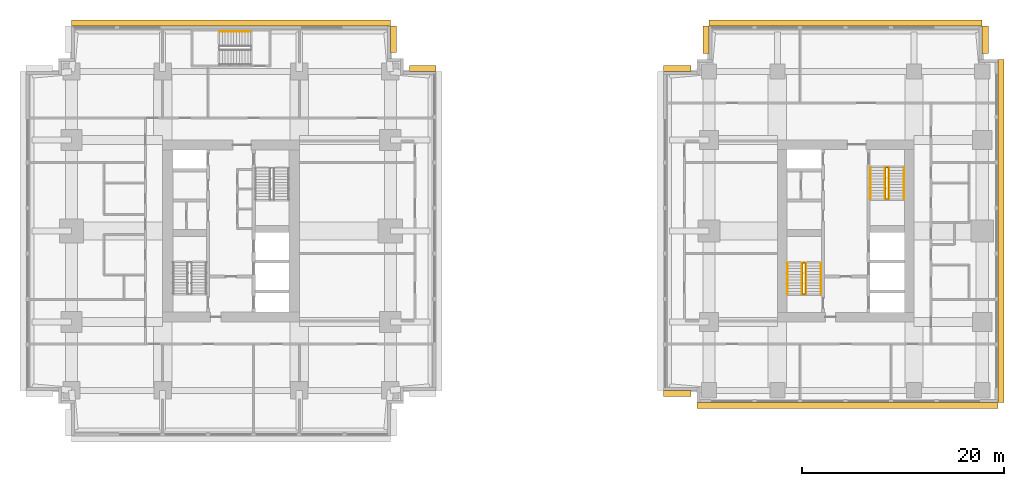
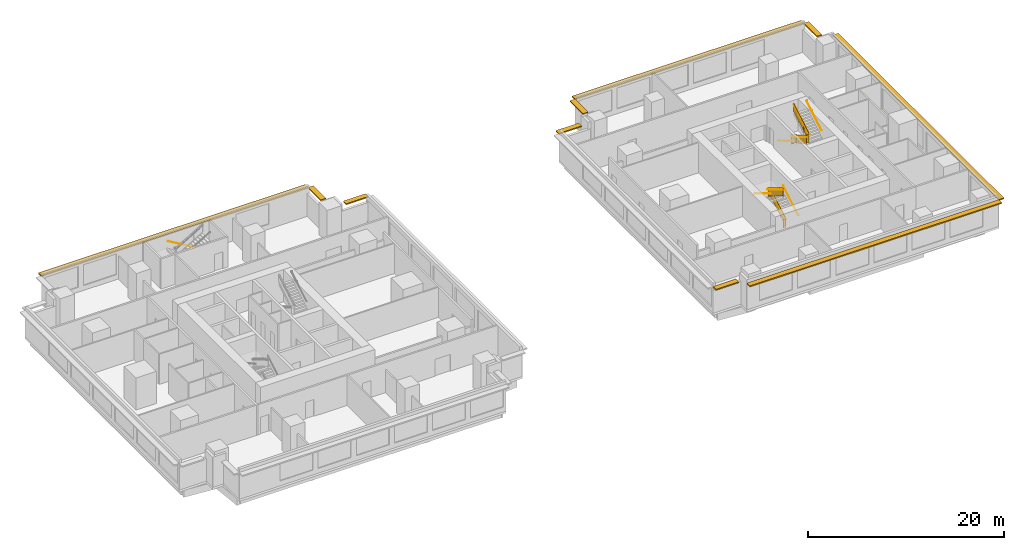
# One storey, part 10 of 10: 11 railings, 10 shading devices.
"""IFC4 building model written with IfcOpenShell, lengths in metres."""

from ifc_helpers import new_model, si_unit, direction, frame, origin, origin_2d, place, context, subcontext, project, spatial, polyline, rectangle, circle, outline, extrude, material, layer, layer_set, type_object, element, save


model = new_model("IFC4")

# Units and contexts
model_context = context("Model", 3, precision=1e-05, world=origin(), true_north=direction((0.0, 1.0)))
body_context = subcontext(model_context, "Body", "Model", "MODEL_VIEW")
ifc_project = project(units=[si_unit("LENGTHUNIT", "METRE"), si_unit("AREAUNIT", "SQUARE_METRE"), si_unit("VOLUMEUNIT", "CUBIC_METRE"), si_unit("PLANEANGLEUNIT", "RADIAN"), si_unit("MASSUNIT", "GRAM", prefix="KILO")], contexts=[model_context])

# Site, building, storey
site_placement = place(None, origin())
site = spatial("IfcSite", under=ifc_project, at=site_placement, CompositionType="ELEMENT")
building_placement = place(site_placement, origin())
building = spatial("IfcBuilding", under=site, at=building_placement, Name="Namib Vertical Campus", CompositionType="ELEMENT")
storey_placement = place(building_placement, frame((0.0, 0.0, 141.0)))
storey = spatial("IfcBuildingStorey", under=building, at=storey_placement, Name="L33", CompositionType="ELEMENT", Elevation=141.0)

# Railings
ifc_material_1 = material(Name="Steel handrail", Category="steel")
railing_type_1 = type_object("IfcRailingType", Name="Handrail 900", PredefinedType="HANDRAIL", material=ifc_material_1)
railing_1_placement = place(storey_placement, frame((78.550048828125, 14.0, 0.166748046875)))
element("IfcRailing", 1, at=railing_1_placement, inside=storey, type_object=railing_type_1, Name="Handrail HR1 B-S1 L33 1", PredefinedType="HANDRAIL", context=body_context, shape_type="SweptSolid", body=[
    extrude(circle(Radius=0.02392578125, at=origin_2d()), frame((0.0, 0.0, 0.8759765625), z_axis=(0.0, 0.859308565015, 0.511457515432), x_axis=(-1.0, 0.0, 0.0)), (0.0, 0.0, 1.0), 3.58447265625),
    extrude(circle(Radius=0.008056640625, at=origin_2d()), frame((0.0, 0.0, 0.8759765625), z_axis=(1.0, 0.0, 0.0), x_axis=(0.0, 0.0, 1.0)), (0.0, 0.0, 1.0), 0.050048828125),
    extrude(circle(Radius=0.008056640625, at=origin_2d()), frame((0.0, 1.026611328125, 1.48681640625), z_axis=(1.0, 0.0, 0.0), x_axis=(0.0, 0.0, 1.0)), (0.0, 0.0, 1.0), 0.050048828125),
    extrude(circle(Radius=0.008056640625, at=origin_2d()), frame((0.0, 2.053466796875, 2.09814453125), z_axis=(1.0, 0.0, 0.0), x_axis=(0.0, 0.0, 1.0)), (0.0, 0.0, 1.0), 0.050048828125),
    extrude(circle(Radius=0.008056640625, at=origin_2d()), frame((0.0, 3.080078125, 2.708984375), z_axis=(1.0, 0.0, 0.0), x_axis=(0.0, 0.0, 1.0)), (0.0, 0.0, 1.0), 0.050048828125),
])
railing_2_placement = place(storey_placement, frame((75.25, 17.080078125, 2.166748046875)))
element("IfcRailing", 2, at=railing_2_placement, inside=storey, type_object=railing_type_1, Name="Handrail HR1 B-S1 L33 2", PredefinedType="HANDRAIL", context=body_context, shape_type="SweptSolid", body=[
    extrude(circle(Radius=0.02392578125, at=origin_2d()), frame((0.0, 0.0, 0.8759765625), z_axis=(0.0, -0.859308565015, 0.511457515432), x_axis=(1.0, 0.0, 0.0)), (0.0, 0.0, 1.0), 3.58447265625),
    extrude(circle(Radius=0.008056640625, at=origin_2d()), frame((0.0, 0.0, 0.8759765625), z_axis=(-1.0, 0.0, 0.0), x_axis=(0.0, 0.0, 1.0)), (0.0, 0.0, 1.0), 0.050048828125),
    extrude(circle(Radius=0.008056640625, at=origin_2d()), frame((0.0, -1.026611328125, 1.48681640625), z_axis=(-1.0, 0.0, 0.0), x_axis=(0.0, 0.0, 1.0)), (0.0, 0.0, 1.0), 0.050048828125),
    extrude(circle(Radius=0.008056640625, at=origin_2d()), frame((0.0, -2.053466796875, 2.09814453125), z_axis=(-1.0, 0.0, 0.0), x_axis=(0.0, 0.0, 1.0)), (0.0, 0.0, 1.0), 0.050048828125),
    extrude(circle(Radius=0.008056640625, at=origin_2d()), frame((0.0, -3.080078125, 2.708984375), z_axis=(-1.0, 0.0, 0.0), x_axis=(0.0, 0.0, 1.0)), (0.0, 0.0, 1.0), 0.050048828125),
])
railing_3_placement = place(storey_placement, frame((77.10009765625, 14.0, 0.166748046875)))
element("IfcRailing", 3, at=railing_3_placement, inside=storey, type_object=railing_type_1, Name="Handrail HR1 B-S1 L33 1 at the well", PredefinedType="HANDRAIL", context=body_context, shape_type="SweptSolid", body=[
    extrude(circle(Radius=0.02392578125, at=origin_2d()), frame((0.0, 0.0, 0.8759765625), z_axis=(0.0, 0.859308565015, 0.511457515432), x_axis=(-1.0, 0.0, 0.0)), (0.0, 0.0, 1.0), 3.58447265625),
    extrude(circle(Radius=0.008056640625, at=origin_2d()), frame((0.0, 0.0, 0.8759765625), z_axis=(-1.0, 0.0, 0.0), x_axis=(0.0, 0.0, 1.0)), (0.0, 0.0, 1.0), 0.0400390625),
    extrude(circle(Radius=0.008056640625, at=origin_2d()), frame((0.0, 1.026611328125, 1.48681640625), z_axis=(-1.0, 0.0, 0.0), x_axis=(0.0, 0.0, 1.0)), (0.0, 0.0, 1.0), 0.0400390625),
    extrude(circle(Radius=0.008056640625, at=origin_2d()), frame((0.0, 2.053466796875, 2.09814453125), z_axis=(-1.0, 0.0, 0.0), x_axis=(0.0, 0.0, 1.0)), (0.0, 0.0, 1.0), 0.0400390625),
    extrude(circle(Radius=0.008056640625, at=origin_2d()), frame((0.0, 3.080078125, 2.708984375), z_axis=(-1.0, 0.0, 0.0), x_axis=(0.0, 0.0, 1.0)), (0.0, 0.0, 1.0), 0.0400390625),
])
railing_4_placement = place(storey_placement, frame((76.699951171875, 17.080078125, 2.166748046875)))
element("IfcRailing", 4, at=railing_4_placement, inside=storey, type_object=railing_type_1, Name="Handrail HR1 B-S1 L33 2 at the well", PredefinedType="HANDRAIL", context=body_context, shape_type="SweptSolid", body=[
    extrude(circle(Radius=0.02392578125, at=origin_2d()), frame((0.0, 0.0, 0.8759765625), z_axis=(0.0, -0.859308565015, 0.511457515432), x_axis=(1.0, 0.0, 0.0)), (0.0, 0.0, 1.0), 3.58447265625),
    extrude(circle(Radius=0.008056640625, at=origin_2d()), frame((0.0, 0.0, 0.8759765625), z_axis=(1.0, 0.0, 0.0), x_axis=(0.0, 0.0, 1.0)), (0.0, 0.0, 1.0), 0.0400390625),
    extrude(circle(Radius=0.008056640625, at=origin_2d()), frame((0.0, -1.026611328125, 1.48681640625), z_axis=(1.0, 0.0, 0.0), x_axis=(0.0, 0.0, 1.0)), (0.0, 0.0, 1.0), 0.0400390625),
    extrude(circle(Radius=0.008056640625, at=origin_2d()), frame((0.0, -2.053466796875, 2.09814453125), z_axis=(1.0, 0.0, 0.0), x_axis=(0.0, 0.0, 1.0)), (0.0, 0.0, 1.0), 0.0400390625),
    extrude(circle(Radius=0.008056640625, at=origin_2d()), frame((0.0, -3.080078125, 2.708984375), z_axis=(1.0, 0.0, 0.0), x_axis=(0.0, 0.0, 1.0)), (0.0, 0.0, 1.0), 0.0400390625),
])
railing_5_placement = place(storey_placement, frame((83.449951171875, 26.5, 0.166748046875)))
element("IfcRailing", 5, at=railing_5_placement, inside=storey, type_object=railing_type_1, Name="Handrail HR1 B-S2 L33 1", PredefinedType="HANDRAIL", context=body_context, shape_type="SweptSolid", body=[
    extrude(circle(Radius=0.02392578125, at=origin_2d()), frame((0.0, 0.0, 0.8759765625), z_axis=(0.0, -0.859308565015, 0.511457515432), x_axis=(1.0, 0.0, 0.0)), (0.0, 0.0, 1.0), 3.58447265625),
    extrude(circle(Radius=0.008056640625, at=origin_2d()), frame((0.0, 0.0, 0.8759765625), z_axis=(-1.0, 0.0, 0.0), x_axis=(0.0, 0.0, 1.0)), (0.0, 0.0, 1.0), 0.050048828125),
    extrude(circle(Radius=0.008056640625, at=origin_2d()), frame((0.0, -1.026611328125, 1.48681640625), z_axis=(-1.0, 0.0, 0.0), x_axis=(0.0, 0.0, 1.0)), (0.0, 0.0, 1.0), 0.050048828125),
    extrude(circle(Radius=0.008056640625, at=origin_2d()), frame((0.0, -2.053466796875, 2.09814453125), z_axis=(-1.0, 0.0, 0.0), x_axis=(0.0, 0.0, 1.0)), (0.0, 0.0, 1.0), 0.050048828125),
    extrude(circle(Radius=0.008056640625, at=origin_2d()), frame((0.0, -3.080078125, 2.708984375), z_axis=(-1.0, 0.0, 0.0), x_axis=(0.0, 0.0, 1.0)), (0.0, 0.0, 1.0), 0.050048828125),
])
railing_6_placement = place(storey_placement, frame((86.75, 23.419921875, 2.166748046875)))
element("IfcRailing", 6, at=railing_6_placement, inside=storey, type_object=railing_type_1, Name="Handrail HR1 B-S2 L33 2", PredefinedType="HANDRAIL", context=body_context, shape_type="SweptSolid", body=[
    extrude(circle(Radius=0.02392578125, at=origin_2d()), frame((0.0, 0.0, 0.8759765625), z_axis=(0.0, 0.859308565015, 0.511457515432), x_axis=(-1.0, 0.0, 0.0)), (0.0, 0.0, 1.0), 3.58447265625),
    extrude(circle(Radius=0.008056640625, at=origin_2d()), frame((0.0, 0.0, 0.8759765625), z_axis=(1.0, 0.0, 0.0), x_axis=(0.0, 0.0, 1.0)), (0.0, 0.0, 1.0), 0.050048828125),
    extrude(circle(Radius=0.008056640625, at=origin_2d()), frame((0.0, 1.026611328125, 1.48681640625), z_axis=(1.0, 0.0, 0.0), x_axis=(0.0, 0.0, 1.0)), (0.0, 0.0, 1.0), 0.050048828125),
    extrude(circle(Radius=0.008056640625, at=origin_2d()), frame((0.0, 2.053466796875, 2.09814453125), z_axis=(1.0, 0.0, 0.0), x_axis=(0.0, 0.0, 1.0)), (0.0, 0.0, 1.0), 0.050048828125),
    extrude(circle(Radius=0.008056640625, at=origin_2d()), frame((0.0, 3.080078125, 2.708984375), z_axis=(1.0, 0.0, 0.0), x_axis=(0.0, 0.0, 1.0)), (0.0, 0.0, 1.0), 0.050048828125),
])
railing_7_placement = place(storey_placement, frame((84.89990234375, 26.5, 0.166748046875)))
element("IfcRailing", 7, at=railing_7_placement, inside=storey, type_object=railing_type_1, Name="Handrail HR1 B-S2 L33 1 at the well", PredefinedType="HANDRAIL", context=body_context, shape_type="SweptSolid", body=[
    extrude(circle(Radius=0.02392578125, at=origin_2d()), frame((0.0, 0.0, 0.8759765625), z_axis=(0.0, -0.859308565015, 0.511457515432), x_axis=(1.0, 0.0, 0.0)), (0.0, 0.0, 1.0), 3.58447265625),
    extrude(circle(Radius=0.008056640625, at=origin_2d()), frame((0.0, 0.0, 0.8759765625), z_axis=(1.0, 0.0, 0.0), x_axis=(0.0, 0.0, 1.0)), (0.0, 0.0, 1.0), 0.0400390625),
    extrude(circle(Radius=0.008056640625, at=origin_2d()), frame((0.0, -1.026611328125, 1.48681640625), z_axis=(1.0, 0.0, 0.0), x_axis=(0.0, 0.0, 1.0)), (0.0, 0.0, 1.0), 0.0400390625),
    extrude(circle(Radius=0.008056640625, at=origin_2d()), frame((0.0, -2.053466796875, 2.09814453125), z_axis=(1.0, 0.0, 0.0), x_axis=(0.0, 0.0, 1.0)), (0.0, 0.0, 1.0), 0.0400390625),
    extrude(circle(Radius=0.008056640625, at=origin_2d()), frame((0.0, -3.080078125, 2.708984375), z_axis=(1.0, 0.0, 0.0), x_axis=(0.0, 0.0, 1.0)), (0.0, 0.0, 1.0), 0.0400390625),
])
railing_8_placement = place(storey_placement, frame((85.300048828125, 23.419921875, 2.166748046875)))
element("IfcRailing", 8, at=railing_8_placement, inside=storey, type_object=railing_type_1, Name="Handrail HR1 B-S2 L33 2 at the well", PredefinedType="HANDRAIL", context=body_context, shape_type="SweptSolid", body=[
    extrude(circle(Radius=0.02392578125, at=origin_2d()), frame((0.0, 0.0, 0.8759765625), z_axis=(0.0, 0.859308565015, 0.511457515432), x_axis=(-1.0, 0.0, 0.0)), (0.0, 0.0, 1.0), 3.58447265625),
    extrude(circle(Radius=0.008056640625, at=origin_2d()), frame((0.0, 0.0, 0.8759765625), z_axis=(-1.0, 0.0, 0.0), x_axis=(0.0, 0.0, 1.0)), (0.0, 0.0, 1.0), 0.0400390625),
    extrude(circle(Radius=0.008056640625, at=origin_2d()), frame((0.0, 1.026611328125, 1.48681640625), z_axis=(-1.0, 0.0, 0.0), x_axis=(0.0, 0.0, 1.0)), (0.0, 0.0, 1.0), 0.0400390625),
    extrude(circle(Radius=0.008056640625, at=origin_2d()), frame((0.0, 2.053466796875, 2.09814453125), z_axis=(-1.0, 0.0, 0.0), x_axis=(0.0, 0.0, 1.0)), (0.0, 0.0, 1.0), 0.0400390625),
    extrude(circle(Radius=0.008056640625, at=origin_2d()), frame((0.0, 3.080078125, 2.708984375), z_axis=(-1.0, 0.0, 0.0), x_axis=(0.0, 0.0, 1.0)), (0.0, 0.0, 1.0), 0.0400390625),
])
railing_9_placement = place(storey_placement, frame((22.199951171875, 39.949951171875, 0.166748046875)))
element("IfcRailing", 9, at=railing_9_placement, inside=storey, type_object=railing_type_1, Name="Handrail HR1 A-S3 L33 1", PredefinedType="HANDRAIL", context=body_context, shape_type="SweptSolid", body=[
    extrude(circle(Radius=0.02392578125, at=origin_2d()), frame((0.0, 0.0, 0.8759765625), z_axis=(-0.859290745958, 0.0, 0.51148745235), x_axis=(0.0, -1.0, 0.0)), (0.0, 0.0, 1.0), 3.584228515625),
    extrude(circle(Radius=0.008056640625, at=origin_2d()), frame((0.0, 0.0, 0.8759765625), z_axis=(0.0, 1.0, 0.0), x_axis=(0.0, 0.0, 1.0)), (0.0, 0.0, 1.0), 0.050048828125),
    extrude(circle(Radius=0.008056640625, at=origin_2d()), frame((-1.026611328125, 0.0, 1.48681640625), z_axis=(0.0, 1.0, 0.0), x_axis=(0.0, 0.0, 1.0)), (0.0, 0.0, 1.0), 0.050048828125),
    extrude(circle(Radius=0.008056640625, at=origin_2d()), frame((-2.05322265625, 0.0, 2.09814453125), z_axis=(0.0, 1.0, 0.0), x_axis=(0.0, 0.0, 1.0)), (0.0, 0.0, 1.0), 0.050048828125),
    extrude(circle(Radius=0.008056640625, at=origin_2d()), frame((-3.079833984375, 0.0, 2.708984375), z_axis=(0.0, 1.0, 0.0), x_axis=(0.0, 0.0, 1.0)), (0.0, 0.0, 1.0), 0.050048828125),
])
ifc_material_2 = material(Name="Steel balustrade", Category="steel")
railing_type_2 = type_object("IfcRailingType", Name="Stair guard 1100", PredefinedType="GUARDRAIL", material=ifc_material_2)
railing_10_placement = place(storey_placement, frame((76.75, 14.0, 0.0)))
element("IfcRailing", 10, at=railing_10_placement, inside=storey, type_object=railing_type_2, Name="Stair guard GR1 B-S1 L33", PredefinedType="GUARDRAIL", context=body_context, shape_type="SweptSolid", body=[
    extrude(circle(Radius=0.02392578125, at=origin_2d()), frame((0.0, 0.0, 1.076171875), z_axis=(1.0, 0.0, 0.0), x_axis=(0.0, 1.0, 0.0)), (0.0, 0.0, 1.0), 0.300048828125),
    extrude(outline(polyline([(0.02099609375, 0.050048828125), (0.279052734375, 0.050048828125), (0.279052734375, 1.052001953125), (0.02099609375, 1.052001953125), (0.02099609375, 0.050048828125)])), frame((0.0, 0.010009765625, 0.0), z_axis=(0.0, -1.0, 0.0), x_axis=(1.0, 0.0, 0.0)), (0.0, 0.0, 1.0), 0.02001953125),
    extrude(circle(Radius=0.02392578125, at=origin_2d()), frame((0.300048828125, 0.0, 1.076171875), z_axis=(0.0, 0.0, 1.0), x_axis=(1.0, 0.0, 0.0)), (0.0, 0.0, 1.0), 0.166748046875),
    extrude(circle(Radius=0.02392578125, at=origin_2d()), frame((0.300048828125, 0.0, 1.24267578125), z_axis=(0.0, 0.859308565015, 0.511457515432), x_axis=(-1.0, 0.0, 0.0)), (0.0, 0.0, 1.0), 3.58447265625),
    extrude(outline(polyline([(0.02099609375, 0.0625), (3.05908203125, 1.870849609375), (3.05908203125, 2.872802734375), (0.02099609375, 1.064453125), (0.02099609375, 0.0625)])), frame((0.2900390625, 0.0, 0.166748046875), z_axis=(1.0, 0.0, 0.0), x_axis=(0.0, 1.0, 0.0)), (0.0, 0.0, 1.0), 0.02001953125),
    extrude(circle(Radius=0.02392578125, at=origin_2d()), frame((0.300048828125, 3.080078125, 3.076171875), z_axis=(-1.0, 0.0, 0.0), x_axis=(0.0, -1.0, 0.0)), (0.0, 0.0, 1.0), 0.300048828125),
    extrude(outline(polyline([(0.02099609375, 0.050048828125), (0.279052734375, 0.050048828125), (0.279052734375, 1.052001953125), (0.02099609375, 1.052001953125), (0.02099609375, 0.050048828125)])), frame((0.300048828125, 3.070068359375, 2.0), z_axis=(0.0, 1.0, 0.0), x_axis=(-1.0, 0.0, 0.0)), (0.0, 0.0, 1.0), 0.02001953125),
    extrude(circle(Radius=0.02392578125, at=origin_2d()), frame((0.0, 3.080078125, 3.076171875), z_axis=(0.0, 0.0, 1.0), x_axis=(1.0, 0.0, 0.0)), (0.0, 0.0, 1.0), 0.166748046875),
    extrude(circle(Radius=0.02392578125, at=origin_2d()), frame((0.0, 3.080078125, 3.24267578125), z_axis=(0.0, -0.859308565015, 0.511457515432), x_axis=(1.0, 0.0, 0.0)), (0.0, 0.0, 1.0), 3.58447265625),
    extrude(outline(polyline([(0.02099609375, 0.0625), (3.05908203125, 1.870849609375), (3.05908203125, 2.872802734375), (0.02099609375, 1.064453125), (0.02099609375, 0.0625)])), frame((0.010009765625, 3.080078125, 2.166748046875), z_axis=(-1.0, 0.0, 0.0), x_axis=(0.0, -1.0, 0.0)), (0.0, 0.0, 1.0), 0.02001953125),
    extrude(circle(Radius=0.02392578125, at=origin_2d()), frame((0.0, 0.0, 5.076171875), z_axis=(0.0, -1.0, 0.0), x_axis=(1.0, 0.0, 0.0)), (0.0, 0.0, 1.0), 0.050048828125),
    extrude(outline(polyline([(0.02099609375, 0.050048828125), (0.029052734375, 0.050048828125), (0.029052734375, 1.052001953125), (0.02099609375, 1.052001953125), (0.02099609375, 0.050048828125)])), frame((0.010009765625, 0.0, 4.0), z_axis=(-1.0, 0.0, 0.0), x_axis=(0.0, -1.0, 0.0)), (0.0, 0.0, 1.0), 0.02001953125),
    extrude(circle(Radius=0.02099609375, at=origin_2d()), origin(), (0.0, 0.0, 1.0), 1.052001953125),
    extrude(circle(Radius=0.02099609375, at=origin_2d()), frame((0.300048828125, 0.0, 0.166748046875)), (0.0, 0.0, 1.0), 1.052001953125),
    extrude(circle(Radius=0.02099609375, at=origin_2d()), frame((0.300048828125, 1.026611328125, 0.666748046875)), (0.0, 0.0, 1.0), 1.1630859375),
    extrude(circle(Radius=0.02099609375, at=origin_2d()), frame((0.300048828125, 2.053466796875, 1.33349609375)), (0.0, 0.0, 1.0), 1.107421875),
    extrude(circle(Radius=0.02099609375, at=origin_2d()), frame((0.300048828125, 3.080078125, 2.0)), (0.0, 0.0, 1.0), 1.052001953125),
    extrude(circle(Radius=0.02099609375, at=origin_2d()), frame((0.0, 3.080078125, 2.166748046875)), (0.0, 0.0, 1.0), 1.052001953125),
    extrude(circle(Radius=0.02099609375, at=origin_2d()), frame((0.0, 2.053466796875, 2.666748046875)), (0.0, 0.0, 1.0), 1.1630859375),
    extrude(circle(Radius=0.02099609375, at=origin_2d()), frame((0.0, 1.026611328125, 3.33349609375)), (0.0, 0.0, 1.0), 1.107421875),
    extrude(circle(Radius=0.02099609375, at=origin_2d()), frame((0.0, 0.0, 4.0)), (0.0, 0.0, 1.0), 1.052001953125),
    extrude(circle(Radius=0.02099609375, at=origin_2d()), frame((0.0, -0.050048828125, 4.0)), (0.0, 0.0, 1.0), 1.052001953125),
])
railing_11_placement = place(storey_placement, frame((85.25, 26.5, 0.0)))
element("IfcRailing", 11, at=railing_11_placement, inside=storey, type_object=railing_type_2, Name="Stair guard GR1 B-S2 L33", PredefinedType="GUARDRAIL", context=body_context, shape_type="SweptSolid", body=[
    extrude(circle(Radius=0.02392578125, at=origin_2d()), frame((0.0, 0.0, 1.076171875), z_axis=(-1.0, 0.0, 0.0), x_axis=(0.0, -1.0, 0.0)), (0.0, 0.0, 1.0), 0.300048828125),
    extrude(outline(polyline([(0.02099609375, 0.050048828125), (0.279052734375, 0.050048828125), (0.279052734375, 1.052001953125), (0.02099609375, 1.052001953125), (0.02099609375, 0.050048828125)])), frame((0.0, -0.010009765625, 0.0), z_axis=(0.0, 1.0, 0.0), x_axis=(-1.0, 0.0, 0.0)), (0.0, 0.0, 1.0), 0.02001953125),
    extrude(circle(Radius=0.02392578125, at=origin_2d()), frame((-0.300048828125, 0.0, 1.076171875), z_axis=(0.0, 0.0, 1.0), x_axis=(1.0, 0.0, 0.0)), (0.0, 0.0, 1.0), 0.166748046875),
    extrude(circle(Radius=0.02392578125, at=origin_2d()), frame((-0.300048828125, 0.0, 1.24267578125), z_axis=(0.0, -0.859308565015, 0.511457515432), x_axis=(1.0, 0.0, 0.0)), (0.0, 0.0, 1.0), 3.58447265625),
    extrude(outline(polyline([(0.02099609375, 0.0625), (3.05908203125, 1.870849609375), (3.05908203125, 2.872802734375), (0.02099609375, 1.064453125), (0.02099609375, 0.0625)])), frame((-0.2900390625, 0.0, 0.166748046875), z_axis=(-1.0, 0.0, 0.0), x_axis=(0.0, -1.0, 0.0)), (0.0, 0.0, 1.0), 0.02001953125),
    extrude(circle(Radius=0.02392578125, at=origin_2d()), frame((-0.300048828125, -3.080078125, 3.076171875), z_axis=(1.0, 0.0, 0.0), x_axis=(0.0, 1.0, 0.0)), (0.0, 0.0, 1.0), 0.300048828125),
    extrude(outline(polyline([(0.02099609375, 0.050048828125), (0.279052734375, 0.050048828125), (0.279052734375, 1.052001953125), (0.02099609375, 1.052001953125), (0.02099609375, 0.050048828125)])), frame((-0.300048828125, -3.070068359375, 2.0), z_axis=(0.0, -1.0, 0.0), x_axis=(1.0, 0.0, 0.0)), (0.0, 0.0, 1.0), 0.02001953125),
    extrude(circle(Radius=0.02392578125, at=origin_2d()), frame((0.0, -3.080078125, 3.076171875), z_axis=(0.0, 0.0, 1.0), x_axis=(1.0, 0.0, 0.0)), (0.0, 0.0, 1.0), 0.166748046875),
    extrude(circle(Radius=0.02392578125, at=origin_2d()), frame((0.0, -3.080078125, 3.24267578125), z_axis=(0.0, 0.859308565015, 0.511457515432), x_axis=(-1.0, 0.0, 0.0)), (0.0, 0.0, 1.0), 3.58447265625),
    extrude(outline(polyline([(0.02099609375, 0.0625), (3.05908203125, 1.870849609375), (3.05908203125, 2.872802734375), (0.02099609375, 1.064453125), (0.02099609375, 0.0625)])), frame((-0.010009765625, -3.080078125, 2.166748046875), z_axis=(1.0, 0.0, 0.0), x_axis=(0.0, 1.0, 0.0)), (0.0, 0.0, 1.0), 0.02001953125),
    extrude(circle(Radius=0.02392578125, at=origin_2d()), frame((0.0, 0.0, 5.076171875), z_axis=(0.0, 1.0, 0.0), x_axis=(-1.0, 0.0, 0.0)), (0.0, 0.0, 1.0), 0.050048828125),
    extrude(outline(polyline([(0.02099609375, 0.050048828125), (0.029052734375, 0.050048828125), (0.029052734375, 1.052001953125), (0.02099609375, 1.052001953125), (0.02099609375, 0.050048828125)])), frame((-0.010009765625, 0.0, 4.0), z_axis=(1.0, 0.0, 0.0), x_axis=(0.0, 1.0, 0.0)), (0.0, 0.0, 1.0), 0.02001953125),
    extrude(circle(Radius=0.02099609375, at=origin_2d()), origin(), (0.0, 0.0, 1.0), 1.052001953125),
    extrude(circle(Radius=0.02099609375, at=origin_2d()), frame((-0.300048828125, 0.0, 0.166748046875)), (0.0, 0.0, 1.0), 1.052001953125),
    extrude(circle(Radius=0.02099609375, at=origin_2d()), frame((-0.300048828125, -1.026611328125, 0.666748046875)), (0.0, 0.0, 1.0), 1.1630859375),
    extrude(circle(Radius=0.02099609375, at=origin_2d()), frame((-0.300048828125, -2.053466796875, 1.33349609375)), (0.0, 0.0, 1.0), 1.107421875),
    extrude(circle(Radius=0.02099609375, at=origin_2d()), frame((-0.300048828125, -3.080078125, 2.0)), (0.0, 0.0, 1.0), 1.052001953125),
    extrude(circle(Radius=0.02099609375, at=origin_2d()), frame((0.0, -3.080078125, 2.166748046875)), (0.0, 0.0, 1.0), 1.052001953125),
    extrude(circle(Radius=0.02099609375, at=origin_2d()), frame((0.0, -2.053466796875, 2.666748046875)), (0.0, 0.0, 1.0), 1.1630859375),
    extrude(circle(Radius=0.02099609375, at=origin_2d()), frame((0.0, -1.026611328125, 3.33349609375)), (0.0, 0.0, 1.0), 1.107421875),
    extrude(circle(Radius=0.02099609375, at=origin_2d()), frame((0.0, 0.0, 4.0)), (0.0, 0.0, 1.0), 1.052001953125),
    extrude(circle(Radius=0.02099609375, at=origin_2d()), frame((0.0, 0.050048828125, 4.0)), (0.0, 0.0, 1.0), 1.052001953125),
])

# Shading devices
ifc_material_3 = material(Name="Concrete C40/50 precast", Category="concrete")
ifc_layer = layer(ifc_material_3, 0.14990234375)
ifc_layer_set = layer_set([ifc_layer], Name="Concrete C40/50 precast")
shading_device_type = type_object("IfcShadingDeviceType", Name="Sunshade hood 600", PredefinedType="SHUTTER", material=ifc_layer_set)
for number, where, z_axis, x_axis, name in (
    (12, (39.199951171875, 36.300048828125, 3.199951171875), (0.0, 0.0, 1.0), (-1.0, 0.0, 0.0), "Sunshade SH3 L33 7"),
    (13, (36.300048828125, 39.199951171875, 3.199951171875), (0.0, 0.0, 1.0), (0.0, 1.0, 0.0), "Sunshade SH3 L33 10"),
):
    element("IfcShadingDevice", number, at=place(storey_placement, frame(where, z_axis=z_axis, x_axis=x_axis)), inside=storey, type_object=shading_device_type, Name=name, PredefinedType="SHUTTER", context=body_context, shape_type="SweptSolid", body=[
        extrude(rectangle(XDim=2.60009765625, YDim=0.60009765625, at=origin_2d()), origin(), (0.0, 0.0, 1.0), 0.14990234375),
    ])
shading_device_1_placement = place(storey_placement, frame((20.25, 40.800048828125, 3.199951171875), z_axis=(0.0, 0.0, 1.0), x_axis=(-1.0, 0.0, 0.0)))
element("IfcShadingDevice", 14, at=shading_device_1_placement, inside=storey, type_object=shading_device_type, Name="Sunshade SH3 L33 11", PredefinedType="SHUTTER", context=body_context, shape_type="SweptSolid", body=[
    extrude(rectangle(XDim=31.5, YDim=0.60009765625, at=origin_2d()), origin(), (0.0, 0.0, 1.0), 0.14990234375),
])
shading_device_2_placement = place(storey_placement, frame((64.35009765625, 4.199951171875, 3.199951171875), z_axis=(0.0, 0.0, 1.0), x_axis=(1.0, 0.0, 0.0)))
element("IfcShadingDevice", 15, at=shading_device_2_placement, inside=storey, type_object=shading_device_type, Name="Sunshade SH3 L33 1", PredefinedType="SHUTTER", context=body_context, shape_type="SweptSolid", body=[
    extrude(rectangle(XDim=2.699951171875, YDim=0.60009765625, at=origin_2d()), origin(), (0.0, 0.0, 1.0), 0.14990234375),
])
shading_device_3_placement = place(storey_placement, frame((81.175048828125, 3.0, 3.199951171875), z_axis=(0.0, 0.0, 1.0), x_axis=(1.0, 0.0, 0.0)))
element("IfcShadingDevice", 16, at=shading_device_3_placement, inside=storey, type_object=shading_device_type, Name="Sunshade SH3 L33 3", PredefinedType="SHUTTER", context=body_context, shape_type="SweptSolid", body=[
    extrude(rectangle(XDim=29.75, YDim=0.60009765625, at=origin_2d()), origin(), (0.0, 0.0, 1.0), 0.14990234375),
])
shading_device_4_placement = place(storey_placement, frame((96.35009765625, 20.25, 3.199951171875), z_axis=(0.0, 0.0, 1.0), x_axis=(0.0, 1.0, 0.0)))
element("IfcShadingDevice", 17, at=shading_device_4_placement, inside=storey, type_object=shading_device_type, Name="Sunshade SH3 L33 4", PredefinedType="SHUTTER", context=body_context, shape_type="SweptSolid", body=[
    extrude(rectangle(XDim=33.89990234375, YDim=0.60009765625, at=origin_2d()), origin(), (0.0, 0.0, 1.0), 0.14990234375),
])
shading_device_5_placement = place(storey_placement, frame((94.800048828125, 39.14990234375, 3.199951171875), z_axis=(0.0, 0.0, 1.0), x_axis=(0.0, 1.0, 0.0)))
element("IfcShadingDevice", 18, at=shading_device_5_placement, inside=storey, type_object=shading_device_type, Name="Sunshade SH3 L33 6", PredefinedType="SHUTTER", context=body_context, shape_type="SweptSolid", body=[
    extrude(rectangle(XDim=2.699951171875, YDim=0.60009765625, at=origin_2d()), origin(), (0.0, 0.0, 1.0), 0.14990234375),
])
shading_device_6_placement = place(storey_placement, frame((81.0, 40.800048828125, 3.199951171875), z_axis=(0.0, 0.0, 1.0), x_axis=(-1.0, 0.0, 0.0)))
element("IfcShadingDevice", 19, at=shading_device_6_placement, inside=storey, type_object=shading_device_type, Name="Sunshade SH3 L33 7", PredefinedType="SHUTTER", context=body_context, shape_type="SweptSolid", body=[
    extrude(rectangle(XDim=27.0, YDim=0.60009765625, at=origin_2d()), origin(), (0.0, 0.0, 1.0), 0.14990234375),
])
for number, where, z_axis, x_axis, name in (
    (20, (67.199951171875, 39.14990234375, 3.199951171875), (0.0, 0.0, 1.0), (0.0, -1.0, 0.0), "Sunshade SH3 L33 8"),
    (21, (64.35009765625, 36.300048828125, 3.199951171875), (0.0, 0.0, 1.0), (-1.0, 0.0, 0.0), "Sunshade SH3 L33 11"),
):
    element("IfcShadingDevice", number, at=place(storey_placement, frame(where, z_axis=z_axis, x_axis=x_axis)), inside=storey, type_object=shading_device_type, Name=name, PredefinedType="SHUTTER", context=body_context, shape_type="SweptSolid", body=[
        extrude(rectangle(XDim=2.699951171875, YDim=0.60009765625, at=origin_2d()), origin(), (0.0, 0.0, 1.0), 0.14990234375),
    ])

save(model, "model.ifc")
